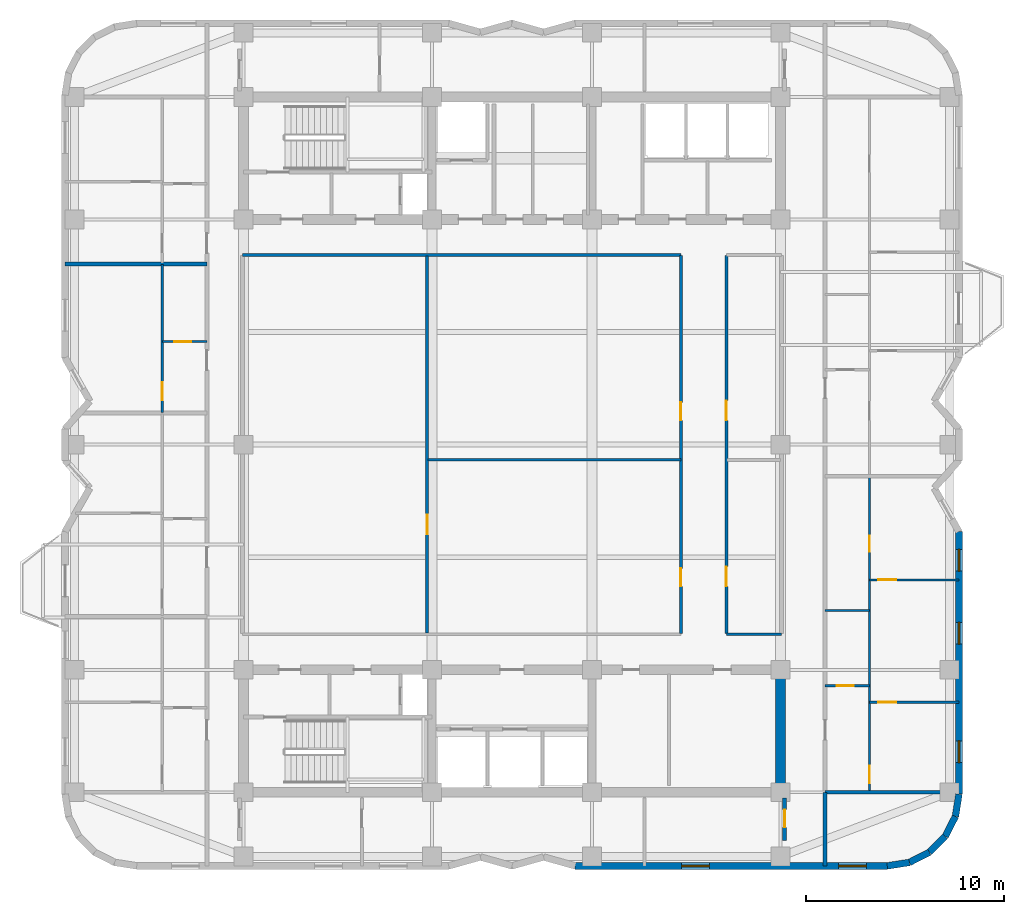
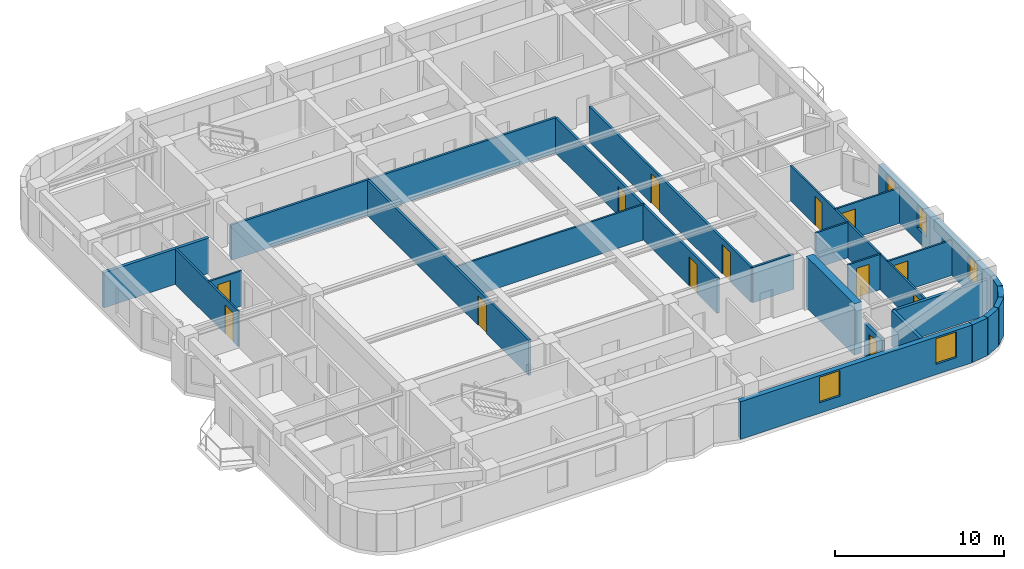
# One storey, part 4 of 9: 25 walls, 13 doors, 5 windows, 18 openings.
"""IFC4 building model written with IfcOpenShell, lengths in metres."""

from ifc_helpers import new_model, si_unit, direction, frame, frame_2d, origin, place, context, subcontext, project, spatial, rectangle, extrude, material, layer, layer_set, type_object, element, fill, save


model = new_model("IFC4")

# Units and contexts
model_context = context("Model", 3, precision=1e-05, world=origin(), true_north=direction((0.0, 1.0)))
body_context = subcontext(model_context, "Body", "Model", "MODEL_VIEW")
ifc_project = project(units=[si_unit("LENGTHUNIT", "METRE"), si_unit("AREAUNIT", "SQUARE_METRE"), si_unit("VOLUMEUNIT", "CUBIC_METRE"), si_unit("PLANEANGLEUNIT", "RADIAN"), si_unit("MASSUNIT", "GRAM", prefix="KILO")], contexts=[model_context])

# Site, building, storey
site_placement = place(None, origin())
site = spatial("IfcSite", under=ifc_project, at=site_placement, CompositionType="ELEMENT")
building_placement = place(site_placement, origin())
building = spatial("IfcBuilding", under=site, at=building_placement, Name="Svetorya Sky Lyceum", CompositionType="ELEMENT")
storey_placement = place(building_placement, frame((0.0, 0.0, 170.0)))
storey = spatial("IfcBuildingStorey", under=building, at=storey_placement, Name="L42", CompositionType="ELEMENT", Elevation=170.0)

# Wall
ifc_material_1 = material(Name="Concrete C50/60", Category="concrete")
ifc_layer_1 = layer(ifc_material_1, 0.5)
ifc_layer_set_1 = layer_set([ifc_layer_1], Name="Concrete C50/60")
wall_type_1 = type_object("IfcWallType", Name="WL-CORE-500", PredefinedType="SHEAR", material=ifc_layer_set_1)
wall_1_placement = place(storey_placement, frame((52.800048828125, 10.85009765625, 0.0), z_axis=(0.0, 0.0, 1.0), x_axis=(0.0, 1.0, 0.0)))
element("IfcWall", 1, at=wall_1_placement, inside=storey, type_object=wall_type_1, Name="L42 SC East Core Shear Wall", PredefinedType="SHEAR", context=body_context, shape_type="SweptSolid", body=[
    extrude(rectangle(XDim=5.699951171875, YDim=0.5, at=frame_2d((2.85009765625, 0.0))), origin(), (0.0, 0.0, 1.0), 3.699951171875),
])

# Wall, openings, windows
ifc_material_2 = material(Name="Putilovo limestone rainscreen on autoclaved cellular masonry", Category="masonry")
ifc_layer_2 = layer(ifc_material_2, 0.340087890625)
ifc_layer_set_2 = layer_set([ifc_layer_2], Name="Putilovo limestone rainscreen on autoclaved cellular masonry")
wall_type_2 = type_object("IfcWallType", Name="WL-EXT-340", PredefinedType="SOLIDWALL", material=ifc_layer_set_2)
wall_2_placement = place(storey_placement, frame((42.39990234375, 6.8701171875, 0.0), z_axis=(0.0, 0.0, 1.0), x_axis=(1.0, 0.0, 0.0)))
wall_2 = element("IfcWall", 2, at=wall_2_placement, inside=storey, type_object=wall_type_2, Name="L42 Limestone Exterior Wall 11M", PredefinedType="SOLIDWALL", context=body_context, shape_type="SweptSolid", body=[
    extrude(rectangle(XDim=15.800048828125, YDim=0.340087890625, at=frame_2d((7.89990234375, 0.0))), origin(), (0.0, 0.0, 1.0), 2.719970703125),
])
opening_1_placement = place(wall_2_placement, frame((5.387451171875, 0.0, 0.75)))
opening_1 = element("IfcOpeningElement", 3, at=opening_1_placement, cuts=wall_2, Name="Opening W-R2", PredefinedType="OPENING", context=body_context, shape_type="SweptSolid", body=[
    extrude(rectangle(XDim=1.39990234375, YDim=1.85009765625, at=frame_2d((0.699951171875, 0.925048828125))), frame((0.0, 0.179931640625, 0.0), z_axis=(0.0, -1.0, 0.0), x_axis=(1.0, 0.0, 0.0)), (0.0, 0.0, 1.0), 0.360107421875),
])
opening_2_placement = place(wall_2_placement, frame((13.33740234375, 0.0, 0.75)))
opening_2 = element("IfcOpeningElement", 4, at=opening_2_placement, cuts=wall_2, Name="Opening W-R2", PredefinedType="OPENING", context=body_context, shape_type="SweptSolid", body=[
    extrude(rectangle(XDim=1.39990234375, YDim=1.85009765625, at=frame_2d((0.699951171875, 0.925048828125))), frame((0.0, 0.179931640625, 0.0), z_axis=(0.0, -1.0, 0.0), x_axis=(1.0, 0.0, 0.0)), (0.0, 0.0, 1.0), 0.360107421875),
])
ifc_material_3 = material(Name="Thermally broken aluminium frame with triple low-E glazing", Category="aluminium")
window_type_1 = type_object("IfcWindowType", Name="WN-RES-140", PartitioningType="SINGLE_PANEL", PredefinedType="WINDOW", material=ifc_material_3)
window_1_placement = place(opening_1_placement, origin())
window_1 = element("IfcWindow", 5, at=window_1_placement, inside=storey, type_object=window_type_1, Name="L42 Facade Window W-R2.11M.1", OverallHeight=1.85009765625, OverallWidth=1.39990234375, PartitioningType="SINGLE_PANEL", PredefinedType="WINDOW", context=body_context, shape_type="SweptSolid", body=[
    extrude(rectangle(XDim=1.39990234375, YDim=1.85009765625, at=frame_2d((0.699951171875, 0.925048828125))), frame((0.0, 0.030029296875, 0.0), z_axis=(0.0, -1.0, 0.0), x_axis=(1.0, 0.0, 0.0)), (0.0, 0.0, 1.0), 0.06005859375),
])
fill(opening_1, window_1)
window_2_placement = place(opening_2_placement, origin())
window_2 = element("IfcWindow", 6, at=window_2_placement, inside=storey, type_object=window_type_1, Name="L42 Facade Window W-R2.11M.2", OverallHeight=1.85009765625, OverallWidth=1.39990234375, PartitioningType="SINGLE_PANEL", PredefinedType="WINDOW", context=body_context, shape_type="SweptSolid", body=[
    extrude(rectangle(XDim=1.39990234375, YDim=1.85009765625, at=frame_2d((0.699951171875, 0.925048828125))), frame((0.0, 0.030029296875, 0.0), z_axis=(0.0, -1.0, 0.0), x_axis=(1.0, 0.0, 0.0)), (0.0, 0.0, 1.0), 0.06005859375),
])
fill(opening_2, window_2)

# Walls
for number, where, z_axis, x_axis, name in (
    (7, (58.199951171875, 6.8701171875, 0.0), (0.0, 0.0, 1.0), (0.987714116584, 0.156271634985, 0.0), "L42 Limestone Exterior Wall 12M"),
    (8, (59.32177734375, 7.047607421875, 0.0), (0.0, 0.0, 1.0), (0.891005044957, 0.453993402883, 0.0), "L42 Limestone Exterior Wall 13M"),
):
    element("IfcWall", number, at=place(storey_placement, frame(where, z_axis=z_axis, x_axis=x_axis)), inside=storey, type_object=wall_type_2, Name=name, PredefinedType="SOLIDWALL", context=body_context, shape_type="SweptSolid", body=[
        extrude(rectangle(XDim=1.1357421875, YDim=0.340087890625, at=frame_2d((0.56787109375, 0.0))), origin(), (0.0, 0.0, 1.0), 2.719970703125),
    ])
wall_3_placement = place(storey_placement, frame((60.333740234375, 7.563232421875, 0.0), z_axis=(0.0, 0.0, 1.0), x_axis=(0.707106781187, 0.707106781187, 0.0)))
element("IfcWall", 9, at=wall_3_placement, inside=storey, type_object=wall_type_2, Name="L42 Limestone Exterior Wall 14M", PredefinedType="SOLIDWALL", context=body_context, shape_type="SweptSolid", body=[
    extrude(rectangle(XDim=1.135498046875, YDim=0.340087890625, at=frame_2d((0.56787109375, 0.0))), origin(), (0.0, 0.0, 1.0), 2.719970703125),
])
wall_4_placement = place(storey_placement, frame((61.13671875, 8.3662109375, 0.0), z_axis=(0.0, 0.0, 1.0), x_axis=(0.45390646422, 0.891049337433, 0.0)))
element("IfcWall", 10, at=wall_4_placement, inside=storey, type_object=wall_type_2, Name="L42 Limestone Exterior Wall 15M", PredefinedType="SOLIDWALL", context=body_context, shape_type="SweptSolid", body=[
    extrude(rectangle(XDim=1.135986328125, YDim=0.340087890625, at=frame_2d((0.56787109375, 0.0))), origin(), (0.0, 0.0, 1.0), 2.719970703125),
])
wall_5_placement = place(storey_placement, frame((61.65234375, 9.37841796875, 0.0), z_axis=(0.0, 0.0, 1.0), x_axis=(0.156514556949, 0.987675651954, 0.0)))
element("IfcWall", 11, at=wall_5_placement, inside=storey, type_object=wall_type_2, Name="L42 Limestone Exterior Wall 16M", PredefinedType="SOLIDWALL", context=body_context, shape_type="SweptSolid", body=[
    extrude(rectangle(XDim=1.135498046875, YDim=0.340087890625, at=frame_2d((0.56787109375, 0.0))), origin(), (0.0, 0.0, 1.0), 2.719970703125),
])

# Wall, openings, windows
wall_6_placement = place(storey_placement, frame((61.830078125, 10.5, 0.0), z_axis=(0.0, 0.0, 1.0), x_axis=(0.0, 1.0, 0.0)))
wall_6 = element("IfcWall", 12, at=wall_6_placement, inside=storey, type_object=wall_type_2, Name="L42 Limestone Exterior Wall 17M", PredefinedType="SOLIDWALL", context=body_context, shape_type="SweptSolid", body=[
    extrude(rectangle(XDim=13.300048828125, YDim=0.340087890625, at=frame_2d((6.64990234375, 0.0))), origin(), (0.0, 0.0, 1.0), 2.719970703125),
])
opening_3_placement = place(wall_6_placement, frame((1.60009765625, 0.0, 0.949951171875)))
opening_3 = element("IfcOpeningElement", 13, at=opening_3_placement, cuts=wall_6, Name="Opening W-R3", PredefinedType="OPENING", context=body_context, shape_type="SweptSolid", body=[
    extrude(rectangle(XDim=1.10009765625, YDim=1.64990234375, at=frame_2d((0.550048828125, 0.824951171875))), frame((0.0, 0.179931640625, 0.0), z_axis=(0.0, -1.0, 0.0), x_axis=(1.0, 0.0, 0.0)), (0.0, 0.0, 1.0), 0.360107421875),
])
opening_4_placement = place(wall_6_placement, frame((7.60009765625, 0.0, 0.949951171875)))
opening_4 = element("IfcOpeningElement", 14, at=opening_4_placement, cuts=wall_6, Name="Opening W-R3", PredefinedType="OPENING", context=body_context, shape_type="SweptSolid", body=[
    extrude(rectangle(XDim=1.10009765625, YDim=1.64990234375, at=frame_2d((0.550048828125, 0.824951171875))), frame((0.0, 0.179931640625, 0.0), z_axis=(0.0, -1.0, 0.0), x_axis=(1.0, 0.0, 0.0)), (0.0, 0.0, 1.0), 0.360107421875),
])
opening_5_placement = place(wall_6_placement, frame((11.300048828125, 0.0, 0.949951171875)))
opening_5 = element("IfcOpeningElement", 15, at=opening_5_placement, cuts=wall_6, Name="Opening W-R3", PredefinedType="OPENING", context=body_context, shape_type="SweptSolid", body=[
    extrude(rectangle(XDim=1.10009765625, YDim=1.64990234375, at=frame_2d((0.550048828125, 0.824951171875))), frame((0.0, 0.179931640625, 0.0), z_axis=(0.0, -1.0, 0.0), x_axis=(1.0, 0.0, 0.0)), (0.0, 0.0, 1.0), 0.360107421875),
])
window_type_2 = type_object("IfcWindowType", Name="WN-RES-110", PartitioningType="SINGLE_PANEL", PredefinedType="WINDOW", material=ifc_material_3)
window_3_placement = place(opening_3_placement, origin())
window_3 = element("IfcWindow", 16, at=window_3_placement, inside=storey, type_object=window_type_2, Name="L42 Facade Window W-R3.17M.1", OverallHeight=1.64990234375, OverallWidth=1.10009765625, PartitioningType="SINGLE_PANEL", PredefinedType="WINDOW", context=body_context, shape_type="SweptSolid", body=[
    extrude(rectangle(XDim=1.10009765625, YDim=1.64990234375, at=frame_2d((0.550048828125, 0.824951171875))), frame((0.0, 0.030029296875, 0.0), z_axis=(0.0, -1.0, 0.0), x_axis=(1.0, 0.0, 0.0)), (0.0, 0.0, 1.0), 0.06005859375),
])
fill(opening_3, window_3)
window_4_placement = place(opening_4_placement, origin())
window_4 = element("IfcWindow", 17, at=window_4_placement, inside=storey, type_object=window_type_2, Name="L42 Facade Window W-R3.17M.2", OverallHeight=1.64990234375, OverallWidth=1.10009765625, PartitioningType="SINGLE_PANEL", PredefinedType="WINDOW", context=body_context, shape_type="SweptSolid", body=[
    extrude(rectangle(XDim=1.10009765625, YDim=1.64990234375, at=frame_2d((0.550048828125, 0.824951171875))), frame((0.0, 0.030029296875, 0.0), z_axis=(0.0, -1.0, 0.0), x_axis=(1.0, 0.0, 0.0)), (0.0, 0.0, 1.0), 0.06005859375),
])
fill(opening_4, window_4)
window_5_placement = place(opening_5_placement, origin())
window_5 = element("IfcWindow", 18, at=window_5_placement, inside=storey, type_object=window_type_2, Name="L42 Facade Window W-R3.17M.3", OverallHeight=1.64990234375, OverallWidth=1.10009765625, PartitioningType="SINGLE_PANEL", PredefinedType="WINDOW", context=body_context, shape_type="SweptSolid", body=[
    extrude(rectangle(XDim=1.10009765625, YDim=1.64990234375, at=frame_2d((0.550048828125, 0.824951171875))), frame((0.0, 0.030029296875, 0.0), z_axis=(0.0, -1.0, 0.0), x_axis=(1.0, 0.0, 0.0)), (0.0, 0.0, 1.0), 0.06005859375),
])
fill(opening_5, window_5)

# Wall
ifc_material_4 = material(Name="Twin-stud galvanized framing with double fireboard", Category="gypsum")
ifc_layer_3 = layer(ifc_material_4, 0.1201171875)
ifc_layer_set_3 = layer_set([ifc_layer_3], Name="Twin-stud galvanized framing with double fireboard")
wall_type_3 = type_object("IfcWallType", Name="WL-PART-120", PredefinedType="PARTITIONING", material=ifc_layer_set_3)
wall_7_placement = place(storey_placement, frame((34.949951171875, 27.434326171875, 0.0), z_axis=(0.0, 0.0, 1.0), x_axis=(1.0, 0.0, 0.0)))
element("IfcWall", 19, at=wall_7_placement, inside=storey, type_object=wall_type_3, Name="L42 Interior Partition OFF-WHM", PredefinedType="PARTITIONING", context=body_context, shape_type="SweptSolid", body=[
    extrude(rectangle(XDim=12.81005859375, YDim=0.1201171875, at=frame_2d((6.405029296875, 0.0))), origin(), (0.0, 0.0, 1.0), 2.550048828125),
])

# Wall, opening, door
wall_8_placement = place(storey_placement, frame((21.5, 33.419921875, 0.0), z_axis=(0.0, 0.0, 1.0), x_axis=(1.0, 0.0, 0.0)))
wall_8 = element("IfcWall", 20, at=wall_8_placement, inside=storey, type_object=wall_type_3, Name="L42 Interior Partition W3-WH1", PredefinedType="PARTITIONING", context=body_context, shape_type="SweptSolid", body=[
    extrude(rectangle(XDim=2.25, YDim=0.1201171875, at=frame_2d((1.125, 0.0))), origin(), (0.0, 0.0, 1.0), 2.550048828125),
])
opening_6_placement = place(wall_8_placement, frame((0.60009765625, 0.0, 0.0)))
opening_6 = element("IfcOpeningElement", 21, at=opening_6_placement, cuts=wall_8, Name="Opening D-BT1", PredefinedType="OPENING", context=body_context, shape_type="SweptSolid", body=[
    extrude(rectangle(XDim=0.85009765625, YDim=2.10009765625, at=frame_2d((0.425048828125, 1.050048828125))), frame((0.0, 0.070068359375, 0.0), z_axis=(0.0, -1.0, 0.0), x_axis=(1.0, 0.0, 0.0)), (0.0, 0.0, 1.0), 0.14013671875),
])
ifc_material_5 = material(Name="Moisture-resistant laminate bathroom door")
door_type_1 = type_object("IfcDoorType", Name="DR-WET-850", OperationType="SINGLE_SWING_LEFT", PredefinedType="DOOR", material=ifc_material_5)
door_1_placement = place(opening_6_placement, origin())
door_1 = element("IfcDoor", 22, at=door_1_placement, inside=storey, type_object=door_type_1, Name="Apartment W3 Bathroom Door", OperationType="SINGLE_SWING_LEFT", OverallHeight=2.10009765625, OverallWidth=0.85009765625, PredefinedType="DOOR", context=body_context, shape_type="SweptSolid", body=[
    extrude(rectangle(XDim=0.85009765625, YDim=2.10009765625, at=frame_2d((0.425048828125, 1.050048828125))), frame((0.0, 0.02490234375, 0.0), z_axis=(0.0, -1.0, 0.0), x_axis=(1.0, 0.0, 0.0)), (0.0, 0.0, 1.0), 0.050048828125),
])
fill(opening_6, door_1)

wall_9_placement = place(storey_placement, frame((21.5, 29.840087890625, 0.0), z_axis=(0.0, 0.0, 1.0), x_axis=(0.0, 1.0, 0.0)))
wall_9 = element("IfcWall", 23, at=wall_9_placement, inside=storey, type_object=wall_type_3, Name="L42 Interior Partition W3-WV", PredefinedType="PARTITIONING", context=body_context, shape_type="SweptSolid", body=[
    extrude(rectangle(XDim=7.471923828125, YDim=0.1201171875, at=frame_2d((3.73583984375, 0.0))), origin(), (0.0, 0.0, 1.0), 2.550048828125),
])
opening_7_placement = place(wall_9_placement, frame((0.610107421875, 0.0, 0.0)))
opening_7 = element("IfcOpeningElement", 24, at=opening_7_placement, cuts=wall_9, Name="Opening D-RM1", PredefinedType="OPENING", context=body_context, shape_type="SweptSolid", body=[
    extrude(rectangle(XDim=0.89990234375, YDim=2.10009765625, at=frame_2d((0.449951171875, 1.050048828125))), frame((0.0, 0.070068359375, 0.0), z_axis=(0.0, -1.0, 0.0), x_axis=(1.0, 0.0, 0.0)), (0.0, 0.0, 1.0), 0.14013671875),
])
ifc_material_6 = material(Name="Lacquered birch veneer internal door")
door_type_2 = type_object("IfcDoorType", Name="DR-INT-900", OperationType="SINGLE_SWING_LEFT", PredefinedType="DOOR", material=ifc_material_6)
door_2_placement = place(opening_7_placement, origin())
door_2 = element("IfcDoor", 25, at=door_2_placement, inside=storey, type_object=door_type_2, Name="Apartment W3 Living Door", OperationType="SINGLE_SWING_RIGHT", OverallHeight=2.10009765625, OverallWidth=0.89990234375, PredefinedType="DOOR", context=body_context, shape_type="SweptSolid", body=[
    extrude(rectangle(XDim=0.89990234375, YDim=2.10009765625, at=frame_2d((0.449951171875, 1.050048828125))), frame((0.0, 0.02490234375, 0.0), z_axis=(0.0, -1.0, 0.0), x_axis=(1.0, 0.0, 0.0)), (0.0, 0.0, 1.0), 0.050048828125),
])
fill(opening_7, door_2)

wall_10_placement = place(storey_placement, frame((55.050048828125, 16.0, 0.0), z_axis=(0.0, 0.0, 1.0), x_axis=(1.0, 0.0, 0.0)))
wall_10 = element("IfcWall", 26, at=wall_10_placement, inside=storey, type_object=wall_type_3, Name="L42 Interior Partition E1-WH1", PredefinedType="PARTITIONING", context=body_context, shape_type="SweptSolid", body=[
    extrude(rectangle(XDim=2.25, YDim=0.1201171875, at=frame_2d((1.125, 0.0))), origin(), (0.0, 0.0, 1.0), 2.550048828125),
])
opening_8_placement = place(wall_10_placement, frame((0.60009765625, 0.0, 0.0)))
opening_8 = element("IfcOpeningElement", 27, at=opening_8_placement, cuts=wall_10, Name="Opening D-BT1", PredefinedType="OPENING", context=body_context, shape_type="SweptSolid", body=[
    extrude(rectangle(XDim=0.85009765625, YDim=2.10009765625, at=frame_2d((0.425048828125, 1.050048828125))), frame((0.0, 0.070068359375, 0.0), z_axis=(0.0, -1.0, 0.0), x_axis=(1.0, 0.0, 0.0)), (0.0, 0.0, 1.0), 0.14013671875),
])
door_3_placement = place(opening_8_placement, origin())
door_3 = element("IfcDoor", 28, at=door_3_placement, inside=storey, type_object=door_type_1, Name="Apartment E1 Bathroom Door", OperationType="SINGLE_SWING_RIGHT", OverallHeight=2.10009765625, OverallWidth=0.85009765625, PredefinedType="DOOR", context=body_context, shape_type="SweptSolid", body=[
    extrude(rectangle(XDim=0.85009765625, YDim=2.10009765625, at=frame_2d((0.425048828125, 1.050048828125))), frame((0.0, 0.02490234375, 0.0), z_axis=(0.0, -1.0, 0.0), x_axis=(1.0, 0.0, 0.0)), (0.0, 0.0, 1.0), 0.050048828125),
])
fill(opening_8, door_3)

# Wall
wall_11_placement = place(storey_placement, frame((55.050048828125, 19.800048828125, 0.0), z_axis=(0.0, 0.0, 1.0), x_axis=(1.0, 0.0, 0.0)))
element("IfcWall", 29, at=wall_11_placement, inside=storey, type_object=wall_type_3, Name="L42 Interior Partition E1-WH2", PredefinedType="PARTITIONING", context=body_context, shape_type="SweptSolid", body=[
    extrude(rectangle(XDim=2.25, YDim=0.1201171875, at=frame_2d((1.125, 0.0))), origin(), (0.0, 0.0, 1.0), 2.550048828125),
])

# Wall, opening, door
wall_12_placement = place(storey_placement, frame((57.300048828125, 15.14990234375, 0.0), z_axis=(0.0, 0.0, 1.0), x_axis=(1.0, 0.0, 0.0)))
wall_12 = element("IfcWall", 30, at=wall_12_placement, inside=storey, type_object=wall_type_3, Name="L42 Interior Partition E1-WL1", PredefinedType="PARTITIONING", context=body_context, shape_type="SweptSolid", body=[
    extrude(rectangle(XDim=4.530029296875, YDim=0.1201171875, at=frame_2d((2.26513671875, 0.0))), origin(), (0.0, 0.0, 1.0), 2.550048828125),
])
opening_9_placement = place(wall_12_placement, frame((0.449951171875, 0.0, 0.0)))
opening_9 = element("IfcOpeningElement", 31, at=opening_9_placement, cuts=wall_12, Name="Opening D-RM1", PredefinedType="OPENING", context=body_context, shape_type="SweptSolid", body=[
    extrude(rectangle(XDim=0.89990234375, YDim=2.10009765625, at=frame_2d((0.449951171875, 1.050048828125))), frame((0.0, 0.070068359375, 0.0), z_axis=(0.0, -1.0, 0.0), x_axis=(1.0, 0.0, 0.0)), (0.0, 0.0, 1.0), 0.14013671875),
])
door_4_placement = place(opening_9_placement, origin())
door_4 = element("IfcDoor", 32, at=door_4_placement, inside=storey, type_object=door_type_2, Name="Apartment E1 Master Bedroom Door", OperationType="SINGLE_SWING_RIGHT", OverallHeight=2.10009765625, OverallWidth=0.89990234375, PredefinedType="DOOR", context=body_context, shape_type="SweptSolid", body=[
    extrude(rectangle(XDim=0.89990234375, YDim=2.10009765625, at=frame_2d((0.449951171875, 1.050048828125))), frame((0.0, 0.02490234375, 0.0), z_axis=(0.0, -1.0, 0.0), x_axis=(1.0, 0.0, 0.0)), (0.0, 0.0, 1.0), 0.050048828125),
])
fill(opening_9, door_4)

wall_13_placement = place(storey_placement, frame((57.300048828125, 21.35009765625, 0.0), z_axis=(0.0, 0.0, 1.0), x_axis=(1.0, 0.0, 0.0)))
wall_13 = element("IfcWall", 33, at=wall_13_placement, inside=storey, type_object=wall_type_3, Name="L42 Interior Partition E1-WL2", PredefinedType="PARTITIONING", context=body_context, shape_type="SweptSolid", body=[
    extrude(rectangle(XDim=4.530029296875, YDim=0.1201171875, at=frame_2d((2.26513671875, 0.0))), origin(), (0.0, 0.0, 1.0), 2.550048828125),
])
opening_10_placement = place(wall_13_placement, frame((0.449951171875, 0.0, 0.0)))
opening_10 = element("IfcOpeningElement", 34, at=opening_10_placement, cuts=wall_13, Name="Opening D-RM1", PredefinedType="OPENING", context=body_context, shape_type="SweptSolid", body=[
    extrude(rectangle(XDim=0.89990234375, YDim=2.10009765625, at=frame_2d((0.449951171875, 1.050048828125))), frame((0.0, 0.070068359375, 0.0), z_axis=(0.0, -1.0, 0.0), x_axis=(1.0, 0.0, 0.0)), (0.0, 0.0, 1.0), 0.14013671875),
])
door_5_placement = place(opening_10_placement, origin())
door_5 = element("IfcDoor", 35, at=door_5_placement, inside=storey, type_object=door_type_2, Name="Apartment E1 Bedroom 2 Door", OperationType="SINGLE_SWING_LEFT", OverallHeight=2.10009765625, OverallWidth=0.89990234375, PredefinedType="DOOR", context=body_context, shape_type="SweptSolid", body=[
    extrude(rectangle(XDim=0.89990234375, YDim=2.10009765625, at=frame_2d((0.449951171875, 1.050048828125))), frame((0.0, 0.02490234375, 0.0), z_axis=(0.0, -1.0, 0.0), x_axis=(1.0, 0.0, 0.0)), (0.0, 0.0, 1.0), 0.050048828125),
])
fill(opening_10, door_5)

# Wall, openings, doors
wall_14_placement = place(storey_placement, frame((57.300048828125, 10.639892578125, 0.0), z_axis=(0.0, 0.0, 1.0), x_axis=(0.0, 1.0, 0.0)))
wall_14 = element("IfcWall", 36, at=wall_14_placement, inside=storey, type_object=wall_type_3, Name="L42 Interior Partition E1-WV", PredefinedType="PARTITIONING", context=body_context, shape_type="SweptSolid", body=[
    extrude(rectangle(XDim=15.920166015625, YDim=0.1201171875, at=frame_2d((7.9599609375, 0.0))), origin(), (0.0, 0.0, 1.0), 2.550048828125),
])
opening_11_placement = place(wall_14_placement, frame((0.409912109375, 0.0, 0.0)))
opening_11 = element("IfcOpeningElement", 37, at=opening_11_placement, cuts=wall_14, Name="Opening D-RM1", PredefinedType="OPENING", context=body_context, shape_type="SweptSolid", body=[
    extrude(rectangle(XDim=0.89990234375, YDim=2.10009765625, at=frame_2d((0.449951171875, 1.050048828125))), frame((0.0, 0.070068359375, 0.0), z_axis=(0.0, -1.0, 0.0), x_axis=(1.0, 0.0, 0.0)), (0.0, 0.0, 1.0), 0.14013671875),
])
opening_12_placement = place(wall_14_placement, frame((12.135009765625, 0.0, 0.0)))
opening_12 = element("IfcOpeningElement", 38, at=opening_12_placement, cuts=wall_14, Name="Opening D-BT2", PredefinedType="OPENING", context=body_context, shape_type="SweptSolid", body=[
    extrude(rectangle(XDim=0.820068359375, YDim=2.080078125, at=frame_2d((0.41015625, 1.0400390625))), frame((0.0, 0.070068359375, 0.0), z_axis=(0.0, -1.0, 0.0), x_axis=(1.0, 0.0, 0.0)), (0.0, 0.0, 1.0), 0.14013671875),
])
door_6_placement = place(opening_11_placement, origin())
door_6 = element("IfcDoor", 39, at=door_6_placement, inside=storey, type_object=door_type_2, Name="Apartment E1 Living Door", OperationType="SINGLE_SWING_LEFT", OverallHeight=2.10009765625, OverallWidth=0.89990234375, PredefinedType="DOOR", context=body_context, shape_type="SweptSolid", body=[
    extrude(rectangle(XDim=0.89990234375, YDim=2.10009765625, at=frame_2d((0.449951171875, 1.050048828125))), frame((0.0, 0.02490234375, 0.0), z_axis=(0.0, -1.0, 0.0), x_axis=(1.0, 0.0, 0.0)), (0.0, 0.0, 1.0), 0.050048828125),
])
fill(opening_11, door_6)
ifc_material_7 = material(Name="Compact moisture-resistant laminate closet door")
door_type_3 = type_object("IfcDoorType", Name="DR-WET-820", OperationType="SINGLE_SWING_LEFT", PredefinedType="DOOR", material=ifc_material_7)
door_7_placement = place(opening_12_placement, origin())
door_7 = element("IfcDoor", 40, at=door_7_placement, inside=storey, type_object=door_type_3, Name="Apartment E1 Study Door", OperationType="SINGLE_SWING_RIGHT", OverallHeight=2.080078125, OverallWidth=0.820068359375, PredefinedType="DOOR", context=body_context, shape_type="SweptSolid", body=[
    extrude(rectangle(XDim=0.820068359375, YDim=2.080078125, at=frame_2d((0.41015625, 1.0400390625))), frame((0.0, 0.02490234375, 0.0), z_axis=(0.0, -1.0, 0.0), x_axis=(1.0, 0.0, 0.0)), (0.0, 0.0, 1.0), 0.050048828125),
])
fill(opening_12, door_7)

# Walls
ifc_material_8 = material(Name="Autoclaved cellular masonry blockwork with acoustic render", Category="masonry")
ifc_layer_4 = layer(ifc_material_8, 0.14990234375)
ifc_layer_set_4 = layer_set([ifc_layer_4], Name="Autoclaved cellular masonry blockwork with acoustic render")
wall_type_4 = type_object("IfcWallType", Name="WL-PART-150", PredefinedType="PARTITIONING", material=ifc_layer_set_4)
wall_15_placement = place(storey_placement, frame((50.050048828125, 18.60009765625, 0.0), z_axis=(0.0, 0.0, 1.0), x_axis=(1.0, 0.0, 0.0)))
element("IfcWall", 41, at=wall_15_placement, inside=storey, type_object=wall_type_4, Name="L42 Interior Partition OFF-CS-E", PredefinedType="PARTITIONING", context=body_context, shape_type="SweptSolid", body=[
    extrude(rectangle(XDim=2.800048828125, YDim=0.14990234375, at=frame_2d((1.39990234375, 0.0))), origin(), (0.0, 0.0, 1.0), 2.550048828125),
])
wall_16_placement = place(storey_placement, frame((25.550048828125, 37.800048828125, 0.0), z_axis=(0.0, 0.0, 1.0), x_axis=(1.0, 0.0, 0.0)))
element("IfcWall", 42, at=wall_16_placement, inside=storey, type_object=wall_type_4, Name="L42 Interior Partition OFF-CN-W", PredefinedType="PARTITIONING", context=body_context, shape_type="SweptSolid", body=[
    extrude(rectangle(XDim=22.199951171875, YDim=0.14990234375, at=frame_2d((11.10009765625, 0.0))), origin(), (0.0, 0.0, 1.0), 2.550048828125),
])

# Wall, opening, door
wall_17_placement = place(storey_placement, frame((34.89990234375, 18.659912109375, 0.0), z_axis=(0.0, 0.0, 1.0), x_axis=(0.0, 1.0, 0.0)))
wall_17 = element("IfcWall", 43, at=wall_17_placement, inside=storey, type_object=wall_type_4, Name="L42 Interior Partition OFF-WVM", PredefinedType="PARTITIONING", context=body_context, shape_type="SweptSolid", body=[
    extrude(rectangle(XDim=19.080078125, YDim=0.14990234375, at=frame_2d((9.5400390625, 0.0))), origin(), (0.0, 0.0, 1.0), 2.550048828125),
])
opening_13_placement = place(wall_17_placement, frame((5.0, 0.0, 0.0)))
opening_13 = element("IfcOpeningElement", 44, at=opening_13_placement, cuts=wall_17, Name="Opening D-RM2", PredefinedType="OPENING", context=body_context, shape_type="SweptSolid", body=[
    extrude(rectangle(XDim=1.0, YDim=2.14990234375, at=frame_2d((0.5, 1.074951171875))), frame((0.0, 0.0849609375, 0.0), z_axis=(0.0, -1.0, 0.0), x_axis=(1.0, 0.0, 0.0)), (0.0, 0.0, 1.0), 0.169921875),
])
ifc_material_9 = material(Name="Solid-core oak acoustic room door")
door_type_4 = type_object("IfcDoorType", Name="DR-INT-1000", OperationType="SINGLE_SWING_LEFT", PredefinedType="DOOR", material=ifc_material_9)
door_8_placement = place(opening_13_placement, origin())
door_8 = element("IfcDoor", 45, at=door_8_placement, inside=storey, type_object=door_type_4, Name="L42 West Seminar Door", OperationType="SINGLE_SWING_LEFT", OverallHeight=2.14990234375, OverallWidth=1.0, PredefinedType="DOOR", context=body_context, shape_type="SweptSolid", body=[
    extrude(rectangle(XDim=1.0, YDim=2.14990234375, at=frame_2d((0.5, 1.074951171875))), frame((0.0, 0.02490234375, 0.0), z_axis=(0.0, -1.0, 0.0), x_axis=(1.0, 0.0, 0.0)), (0.0, 0.0, 1.0), 0.050048828125),
])
fill(opening_13, door_8)

# Wall, openings, doors
wall_18_placement = place(storey_placement, frame((47.75, 18.6298828125, 0.0), z_axis=(0.0, 0.0, 1.0), x_axis=(0.0, 1.0, 0.0)))
wall_18 = element("IfcWall", 46, at=wall_18_placement, inside=storey, type_object=wall_type_4, Name="L42 Interior Partition OFF-VW", PredefinedType="PARTITIONING", context=body_context, shape_type="SweptSolid", body=[
    extrude(rectangle(XDim=19.14013671875, YDim=0.14990234375, at=frame_2d((9.570068359375, 0.0))), origin(), (0.0, 0.0, 1.0), 2.550048828125),
])
opening_14_placement = place(wall_18_placement, frame((2.39990234375, 0.0, 0.0)))
opening_14 = element("IfcOpeningElement", 47, at=opening_14_placement, cuts=wall_18, Name="Opening D-RM1", PredefinedType="OPENING", context=body_context, shape_type="SweptSolid", body=[
    extrude(rectangle(XDim=0.89990234375, YDim=2.10009765625, at=frame_2d((0.449951171875, 1.050048828125))), frame((0.0, 0.0849609375, 0.0), z_axis=(0.0, -1.0, 0.0), x_axis=(1.0, 0.0, 0.0)), (0.0, 0.0, 1.0), 0.169921875),
])
opening_15_placement = place(wall_18_placement, frame((10.804443359375, 0.0, 0.0)))
opening_15 = element("IfcOpeningElement", 48, at=opening_15_placement, cuts=wall_18, Name="Opening D-RM1", PredefinedType="OPENING", context=body_context, shape_type="SweptSolid", body=[
    extrude(rectangle(XDim=0.89990234375, YDim=2.10009765625, at=frame_2d((0.449951171875, 1.050048828125))), frame((0.0, 0.0849609375, 0.0), z_axis=(0.0, -1.0, 0.0), x_axis=(1.0, 0.0, 0.0)), (0.0, 0.0, 1.0), 0.169921875),
])
door_9_placement = place(opening_14_placement, origin())
door_9 = element("IfcDoor", 49, at=door_9_placement, inside=storey, type_object=door_type_2, Name="L42 Study Door", OperationType="SINGLE_SWING_LEFT", OverallHeight=2.10009765625, OverallWidth=0.89990234375, PredefinedType="DOOR", context=body_context, shape_type="SweptSolid", body=[
    extrude(rectangle(XDim=0.89990234375, YDim=2.10009765625, at=frame_2d((0.449951171875, 1.050048828125))), frame((0.0, 0.02490234375, 0.0), z_axis=(0.0, -1.0, 0.0), x_axis=(1.0, 0.0, 0.0)), (0.0, 0.0, 1.0), 0.050048828125),
])
fill(opening_14, door_9)
door_10_placement = place(opening_15_placement, origin())
door_10 = element("IfcDoor", 50, at=door_10_placement, inside=storey, type_object=door_type_2, Name="L42 Office Door", OperationType="SINGLE_SWING_RIGHT", OverallHeight=2.10009765625, OverallWidth=0.89990234375, PredefinedType="DOOR", context=body_context, shape_type="SweptSolid", body=[
    extrude(rectangle(XDim=0.89990234375, YDim=2.10009765625, at=frame_2d((0.449951171875, 1.050048828125))), frame((0.0, 0.02490234375, 0.0), z_axis=(0.0, -1.0, 0.0), x_axis=(1.0, 0.0, 0.0)), (0.0, 0.0, 1.0), 0.050048828125),
])
fill(opening_15, door_10)

wall_19_placement = place(storey_placement, frame((50.050048828125, 18.6298828125, 0.0), z_axis=(0.0, 0.0, 1.0), x_axis=(0.0, 1.0, 0.0)))
wall_19 = element("IfcWall", 51, at=wall_19_placement, inside=storey, type_object=wall_type_4, Name="L42 Interior Partition OFF-VE", PredefinedType="PARTITIONING", context=body_context, shape_type="SweptSolid", body=[
    extrude(rectangle(XDim=19.14013671875, YDim=0.14990234375, at=frame_2d((9.570068359375, 0.0))), origin(), (0.0, 0.0, 1.0), 2.550048828125),
])
opening_16_placement = place(wall_19_placement, frame((2.39990234375, 0.0, 0.0)))
opening_16 = element("IfcOpeningElement", 52, at=opening_16_placement, cuts=wall_19, Name="Opening D-RM2", PredefinedType="OPENING", context=body_context, shape_type="SweptSolid", body=[
    extrude(rectangle(XDim=1.0, YDim=2.14990234375, at=frame_2d((0.5, 1.074951171875))), frame((0.0, 0.0849609375, 0.0), z_axis=(0.0, -1.0, 0.0), x_axis=(1.0, 0.0, 0.0)), (0.0, 0.0, 1.0), 0.169921875),
])
opening_17_placement = place(wall_19_placement, frame((10.804443359375, 0.0, 0.0)))
opening_17 = element("IfcOpeningElement", 53, at=opening_17_placement, cuts=wall_19, Name="Opening D-RM2", PredefinedType="OPENING", context=body_context, shape_type="SweptSolid", body=[
    extrude(rectangle(XDim=1.0, YDim=2.14990234375, at=frame_2d((0.5, 1.074951171875))), frame((0.0, 0.0849609375, 0.0), z_axis=(0.0, -1.0, 0.0), x_axis=(1.0, 0.0, 0.0)), (0.0, 0.0, 1.0), 0.169921875),
])
door_11_placement = place(opening_16_placement, origin())
door_11 = element("IfcDoor", 54, at=door_11_placement, inside=storey, type_object=door_type_4, Name="L42 Club Door", OperationType="SINGLE_SWING_RIGHT", OverallHeight=2.14990234375, OverallWidth=1.0, PredefinedType="DOOR", context=body_context, shape_type="SweptSolid", body=[
    extrude(rectangle(XDim=1.0, YDim=2.14990234375, at=frame_2d((0.5, 1.074951171875))), frame((0.0, 0.02490234375, 0.0), z_axis=(0.0, -1.0, 0.0), x_axis=(1.0, 0.0, 0.0)), (0.0, 0.0, 1.0), 0.050048828125),
])
fill(opening_16, door_11)
door_12_placement = place(opening_17_placement, origin())
door_12 = element("IfcDoor", 55, at=door_12_placement, inside=storey, type_object=door_type_4, Name="L42 Seminar Door", OperationType="SINGLE_SWING_LEFT", OverallHeight=2.14990234375, OverallWidth=1.0, PredefinedType="DOOR", context=body_context, shape_type="SweptSolid", body=[
    extrude(rectangle(XDim=1.0, YDim=2.14990234375, at=frame_2d((0.5, 1.074951171875))), frame((0.0, 0.02490234375, 0.0), z_axis=(0.0, -1.0, 0.0), x_axis=(1.0, 0.0, 0.0)), (0.0, 0.0, 1.0), 0.050048828125),
])
fill(opening_17, door_12)

# Walls
ifc_material_10 = material(Name="Autoclaved cellular masonry blockwork with gypsum plaster", Category="masonry")
ifc_layer_5 = layer(ifc_material_10, 0.199951171875)
ifc_layer_set_5 = layer_set([ifc_layer_5], Name="Autoclaved cellular masonry blockwork with gypsum plaster")
wall_type_5 = type_object("IfcWallType", Name="WL-PART-200", PredefinedType="PARTITIONING", material=ifc_layer_set_5)
wall_20_placement = place(storey_placement, frame((16.570068359375, 37.35205078125, 0.0), z_axis=(0.0, 0.0, 1.0), x_axis=(1.0, 0.0, 0.0)))
element("IfcWall", 56, at=wall_20_placement, inside=storey, type_object=wall_type_5, Name="L42 Interior Partition W-PARTY-3", PredefinedType="PARTITIONING", context=body_context, shape_type="SweptSolid", body=[
    extrude(rectangle(XDim=7.179931640625, YDim=0.199951171875, at=frame_2d((3.58984375, 0.0))), origin(), (0.0, 0.0, 1.0), 2.550048828125),
])
wall_21_placement = place(storey_placement, frame((55.050048828125, 10.60009765625, 0.0), z_axis=(0.0, 0.0, 1.0), x_axis=(1.0, 0.0, 0.0)))
element("IfcWall", 57, at=wall_21_placement, inside=storey, type_object=wall_type_5, Name="L42 Interior Partition E-CAP-S", PredefinedType="PARTITIONING", context=body_context, shape_type="SweptSolid", body=[
    extrude(rectangle(XDim=6.35986328125, YDim=0.199951171875, at=frame_2d((3.179931640625, 0.0))), origin(), (0.0, 0.0, 1.0), 2.550048828125),
])
wall_22_placement = place(storey_placement, frame((55.050048828125, 6.8701171875, 0.0), z_axis=(0.0, 0.0, 1.0), x_axis=(0.0, 1.0, 0.0)))
element("IfcWall", 58, at=wall_22_placement, inside=storey, type_object=wall_type_5, Name="L42 Interior Partition EC-SE-END", PredefinedType="PARTITIONING", context=body_context, shape_type="SweptSolid", body=[
    extrude(rectangle(XDim=3.72998046875, YDim=0.199951171875, at=frame_2d((1.864990234375, 0.0))), origin(), (0.0, 0.0, 1.0), 2.550048828125),
])

# Wall, opening, door
wall_23_placement = place(storey_placement, frame((53.0, 8.169921875, 0.0), z_axis=(0.0, 0.0, 1.0), x_axis=(0.0, 1.0, 0.0)))
wall_23 = element("IfcWall", 59, at=wall_23_placement, inside=storey, type_object=wall_type_5, Name="L42 Interior Partition S-EE", PredefinedType="PARTITIONING", context=body_context, shape_type="SweptSolid", body=[
    extrude(rectangle(XDim=2.130126953125, YDim=0.199951171875, at=frame_2d((1.06494140625, 0.0))), origin(), (0.0, 0.0, 1.0), 2.550048828125),
])
opening_18_placement = place(wall_23_placement, frame((0.64990234375, 0.0, 0.0)))
opening_18 = element("IfcOpeningElement", 60, at=opening_18_placement, cuts=wall_23, Name="Opening D-RM1", PredefinedType="OPENING", context=body_context, shape_type="SweptSolid", body=[
    extrude(rectangle(XDim=0.89990234375, YDim=2.10009765625, at=frame_2d((0.449951171875, 1.050048828125))), frame((0.0, 0.10986328125, 0.0), z_axis=(0.0, -1.0, 0.0), x_axis=(1.0, 0.0, 0.0)), (0.0, 0.0, 1.0), 0.219970703125),
])
door_13_placement = place(opening_18_placement, origin())
door_13 = element("IfcDoor", 61, at=door_13_placement, inside=storey, type_object=door_type_2, Name="L42 South Focus Door", OperationType="SINGLE_SWING_RIGHT", OverallHeight=2.10009765625, OverallWidth=0.89990234375, PredefinedType="DOOR", context=body_context, shape_type="SweptSolid", body=[
    extrude(rectangle(XDim=0.89990234375, YDim=2.10009765625, at=frame_2d((0.449951171875, 1.050048828125))), frame((0.0, 0.02490234375, 0.0), z_axis=(0.0, -1.0, 0.0), x_axis=(1.0, 0.0, 0.0)), (0.0, 0.0, 1.0), 0.050048828125),
])
fill(opening_18, door_13)

save(model, "model.ifc")
